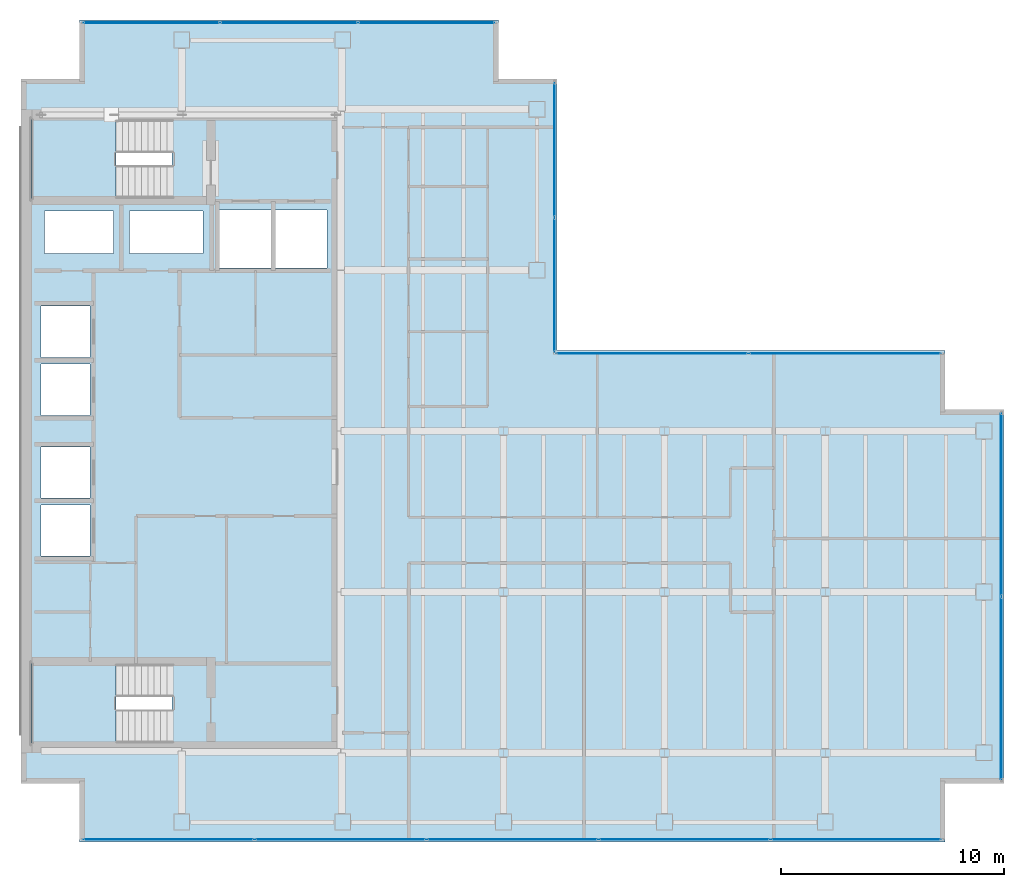
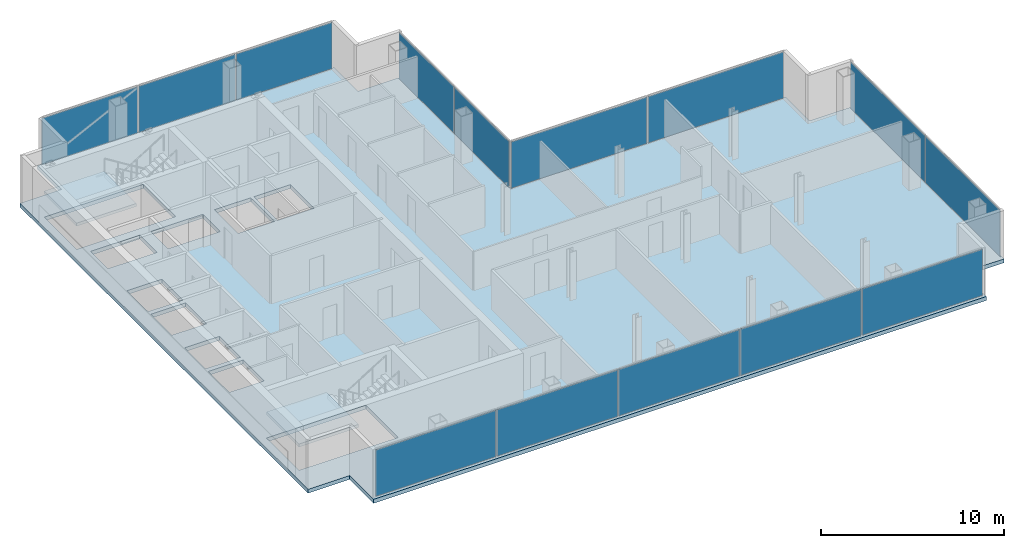
# One storey, part 19 of 23: 14 plates, 3 slabs, 10 openings, 7 elements without a shape of their own.
"""IFC4 building model written with IfcOpenShell, lengths in metres."""

from ifc_helpers import new_model, si_unit, direction, frame, origin, origin_2d, place, context, subcontext, project, spatial, polyline, rectangle, outline, extrude, material, layer, layer_set, type_object, element, aggregate, save


model = new_model("IFC4")

# Units and contexts
model_context = context("Model", 3, precision=1e-05, world=origin(), true_north=direction((0.0, 1.0)))
body_context = subcontext(model_context, "Body", "Model", "MODEL_VIEW")
ifc_project = project(units=[si_unit("LENGTHUNIT", "METRE"), si_unit("AREAUNIT", "SQUARE_METRE"), si_unit("VOLUMEUNIT", "CUBIC_METRE"), si_unit("PLANEANGLEUNIT", "RADIAN"), si_unit("MASSUNIT", "GRAM", prefix="KILO")], contexts=[model_context])

# Site, building, storey
site_placement = place(None, origin())
site = spatial("IfcSite", under=ifc_project, at=site_placement, CompositionType="ELEMENT")
building_placement = place(site_placement, origin())
building = spatial("IfcBuilding", under=site, at=building_placement, Name="Cobrela Telecom Tower", CompositionType="ELEMENT")
storey_placement = place(building_placement, frame((0.0, 0.0, 215.25)))
storey = spatial("IfcBuildingStorey", under=building, at=storey_placement, Name="L55", CompositionType="ELEMENT", Elevation=215.25)

# Curtain wall, plates
ifc_material_1 = material(Name="Anodized Bronze Aluminium 6063-T6", Category="aluminium")
curtain_wall_type = type_object("IfcCurtainWallType", Name="CW-SYS-OFF-LO", PredefinedType="USERDEFINED", material=ifc_material_1)
curtain_wall_1_placement = place(storey_placement, origin())
curtain_wall_1 = element("IfcCurtainWall", 1, at=curtain_wall_1_placement, inside=storey, type_object=curtain_wall_type, Name="L55 Unitised Bronze Curtain Wall 07", ObjectType="UNITISED CURTAIN WALL", PredefinedType="USERDEFINED")
ifc_material_2 = material(Name="Solar-Control Bronze Low-E Glass", Category="glass")
ifc_layer_1 = layer(ifc_material_2, 0.031982421875)
ifc_layer_set_1 = layer_set([ifc_layer_1], Name="Solar-Control Bronze Low-E Glass")
plate_type = type_object("IfcPlateType", Name="CW-SYS-OFF-LO-PNL", PredefinedType="CURTAIN_PANEL", material=ifc_layer_set_1)
plate_1_placement = place(storey_placement, frame((5.850830078125, 39.8798828125, 0.070068359375), z_axis=(0.0, 0.0, 1.0), x_axis=(1.0, 0.0, 0.0)))
plate_1 = element("IfcPlate", 2, at=plate_1_placement, type_object=plate_type, Name="CW-OFF-LO panel 1.1", PredefinedType="CURTAIN_PANEL", context=body_context, shape_type="SweptSolid", body=[
    extrude(rectangle(XDim=6.061767578125, YDim=0.031982421875, at=origin_2d()), origin(), (0.0, 0.0, 1.0), 3.10009765625),
])
plate_2_placement = place(storey_placement, frame((12.0, 39.8798828125, 0.070068359375), z_axis=(0.0, 0.0, 1.0), x_axis=(1.0, 0.0, 0.0)))
plate_2 = element("IfcPlate", 3, at=plate_2_placement, type_object=plate_type, Name="CW-OFF-LO panel 2.1", PredefinedType="CURTAIN_PANEL", context=body_context, shape_type="SweptSolid", body=[
    extrude(rectangle(XDim=6.0966796875, YDim=0.031982421875, at=origin_2d()), origin(), (0.0, 0.0, 1.0), 3.10009765625),
])
plate_3_placement = place(storey_placement, frame((18.149169921875, 39.8798828125, 0.070068359375), z_axis=(0.0, 0.0, 1.0), x_axis=(1.0, 0.0, 0.0)))
plate_3 = element("IfcPlate", 4, at=plate_3_placement, type_object=plate_type, Name="CW-OFF-LO panel 3.1", PredefinedType="CURTAIN_PANEL", context=body_context, shape_type="SweptSolid", body=[
    extrude(rectangle(XDim=6.061767578125, YDim=0.031982421875, at=origin_2d()), origin(), (0.0, 0.0, 1.0), 3.10009765625),
])
aggregate(curtain_wall_1, [plate_1, plate_2, plate_3])

curtain_wall_2_placement = place(storey_placement, origin())
curtain_wall_2 = element("IfcCurtainWall", 5, at=curtain_wall_2_placement, inside=storey, type_object=curtain_wall_type, Name="L55 Unitised Bronze Curtain Wall 10", ObjectType="UNITISED CURTAIN WALL", PredefinedType="USERDEFINED")
plate_4_placement = place(storey_placement, frame((23.8798828125, 34.18994140625, 0.070068359375), z_axis=(0.0, 0.0, 1.0), x_axis=(0.0, -1.0, 0.0)))
plate_4 = element("IfcPlate", 6, at=plate_4_placement, type_object=plate_type, Name="CW-OFF-LO panel 1.1", PredefinedType="CURTAIN_PANEL", context=body_context, shape_type="SweptSolid", body=[
    extrude(rectangle(XDim=5.97998046875, YDim=0.031982421875, at=origin_2d()), origin(), (0.0, 0.0, 1.0), 3.10009765625),
])
plate_5_placement = place(storey_placement, frame((23.8798828125, 28.139892578125, 0.070068359375), z_axis=(0.0, 0.0, 1.0), x_axis=(0.0, -1.0, 0.0)))
plate_5 = element("IfcPlate", 7, at=plate_5_placement, type_object=plate_type, Name="CW-OFF-LO panel 2.1", PredefinedType="CURTAIN_PANEL", context=body_context, shape_type="SweptSolid", body=[
    extrude(rectangle(XDim=5.97998046875, YDim=0.031982421875, at=origin_2d()), origin(), (0.0, 0.0, 1.0), 3.10009765625),
])
aggregate(curtain_wall_2, [plate_4, plate_5])

curtain_wall_3_placement = place(storey_placement, origin())
curtain_wall_3 = element("IfcCurtainWall", 8, at=curtain_wall_3_placement, inside=storey, type_object=curtain_wall_type, Name="L55 Unitised Bronze Curtain Wall 11", ObjectType="UNITISED CURTAIN WALL", PredefinedType="USERDEFINED")
plate_6_placement = place(storey_placement, frame((28.239990234375, 25.080078125, 0.070068359375), z_axis=(0.0, 0.0, 1.0), x_axis=(1.0, 0.0, 0.0)))
plate_6 = element("IfcPlate", 9, at=plate_6_placement, type_object=plate_type, Name="CW-OFF-LO panel 1.1", PredefinedType="CURTAIN_PANEL", context=body_context, shape_type="SweptSolid", body=[
    extrude(rectangle(XDim=8.580078125, YDim=0.031982421875, at=origin_2d()), origin(), (0.0, 0.0, 1.0), 3.10009765625),
])
plate_7_placement = place(storey_placement, frame((36.889892578125, 25.080078125, 0.070068359375), z_axis=(0.0, 0.0, 1.0), x_axis=(1.0, 0.0, 0.0)))
plate_7 = element("IfcPlate", 10, at=plate_7_placement, type_object=plate_type, Name="CW-OFF-LO panel 2.1", PredefinedType="CURTAIN_PANEL", context=body_context, shape_type="SweptSolid", body=[
    extrude(rectangle(XDim=8.580078125, YDim=0.031982421875, at=origin_2d()), origin(), (0.0, 0.0, 1.0), 3.10009765625),
])
aggregate(curtain_wall_3, [plate_6, plate_7])

curtain_wall_4_placement = place(storey_placement, origin())
curtain_wall_4 = element("IfcCurtainWall", 11, at=curtain_wall_4_placement, inside=storey, type_object=curtain_wall_type, Name="L55 Unitised Bronze Curtain Wall 14", ObjectType="UNITISED CURTAIN WALL", PredefinedType="USERDEFINED")
plate_8_placement = place(storey_placement, frame((43.8798828125, 18.3076171875, 0.070068359375), z_axis=(0.0, 0.0, 1.0), x_axis=(0.0, -1.0, 0.0)))
plate_8 = element("IfcPlate", 12, at=plate_8_placement, type_object=plate_type, Name="CW-OFF-LO panel 1.1", PredefinedType="CURTAIN_PANEL", context=body_context, shape_type="SweptSolid", body=[
    extrude(rectangle(XDim=8.14501953125, YDim=0.031982421875, at=origin_2d()), origin(), (0.0, 0.0, 1.0), 3.10009765625),
])
plate_9_placement = place(storey_placement, frame((43.8798828125, 10.092529296875, 0.070068359375), z_axis=(0.0, 0.0, 1.0), x_axis=(0.0, -1.0, 0.0)))
plate_9 = element("IfcPlate", 13, at=plate_9_placement, type_object=plate_type, Name="CW-OFF-LO panel 2.1", PredefinedType="CURTAIN_PANEL", context=body_context, shape_type="SweptSolid", body=[
    extrude(rectangle(XDim=8.14501953125, YDim=0.031982421875, at=origin_2d()), origin(), (0.0, 0.0, 1.0), 3.10009765625),
])
aggregate(curtain_wall_4, [plate_8, plate_9])

curtain_wall_5_placement = place(storey_placement, origin())
curtain_wall_5 = element("IfcCurtainWall", 14, at=curtain_wall_5_placement, inside=storey, type_object=curtain_wall_type, Name="L55 Unitised Bronze Curtain Wall 17", ObjectType="UNITISED CURTAIN WALL", PredefinedType="USERDEFINED")
plate_10_placement = place(storey_placement, frame((37.382568359375, 3.320068359375, 0.070068359375), z_axis=(0.0, 0.0, 1.0), x_axis=(-1.0, 0.0, 0.0)))
plate_10 = element("IfcPlate", 15, at=plate_10_placement, type_object=plate_type, Name="CW-OFF-LO panel 1.1", PredefinedType="CURTAIN_PANEL", context=body_context, shape_type="SweptSolid", body=[
    extrude(rectangle(XDim=7.594970703125, YDim=0.031982421875, at=origin_2d()), origin(), (0.0, 0.0, 1.0), 3.10009765625),
])
plate_11_placement = place(storey_placement, frame((29.699951171875, 3.320068359375, 0.070068359375), z_axis=(0.0, 0.0, 1.0), x_axis=(-1.0, 0.0, 0.0)))
plate_11 = element("IfcPlate", 16, at=plate_11_placement, type_object=plate_type, Name="CW-OFF-LO panel 2.1", PredefinedType="CURTAIN_PANEL", context=body_context, shape_type="SweptSolid", body=[
    extrude(rectangle(XDim=7.6298828125, YDim=0.031982421875, at=origin_2d()), origin(), (0.0, 0.0, 1.0), 3.10009765625),
])
plate_12_placement = place(storey_placement, frame((22.0, 3.320068359375, 0.070068359375), z_axis=(0.0, 0.0, 1.0), x_axis=(-1.0, 0.0, 0.0)))
plate_12 = element("IfcPlate", 17, at=plate_12_placement, type_object=plate_type, Name="CW-OFF-LO panel 3.1", PredefinedType="CURTAIN_PANEL", context=body_context, shape_type="SweptSolid", body=[
    extrude(rectangle(XDim=7.6298828125, YDim=0.031982421875, at=origin_2d()), origin(), (0.0, 0.0, 1.0), 3.10009765625),
])
plate_13_placement = place(storey_placement, frame((14.300048828125, 3.320068359375, 0.070068359375), z_axis=(0.0, 0.0, 1.0), x_axis=(-1.0, 0.0, 0.0)))
plate_13 = element("IfcPlate", 18, at=plate_13_placement, type_object=plate_type, Name="CW-OFF-LO panel 4.1", PredefinedType="CURTAIN_PANEL", context=body_context, shape_type="SweptSolid", body=[
    extrude(rectangle(XDim=7.6298828125, YDim=0.031982421875, at=origin_2d()), origin(), (0.0, 0.0, 1.0), 3.10009765625),
])
plate_14_placement = place(storey_placement, frame((6.617431640625, 3.320068359375, 0.070068359375), z_axis=(0.0, 0.0, 1.0), x_axis=(-1.0, 0.0, 0.0)))
plate_14 = element("IfcPlate", 19, at=plate_14_placement, type_object=plate_type, Name="CW-OFF-LO panel 5.1", PredefinedType="CURTAIN_PANEL", context=body_context, shape_type="SweptSolid", body=[
    extrude(rectangle(XDim=7.594970703125, YDim=0.031982421875, at=origin_2d()), origin(), (0.0, 0.0, 1.0), 3.10009765625),
])
aggregate(curtain_wall_5, [plate_10, plate_11, plate_12, plate_13, plate_14])

# Slab, openings
ifc_material_3 = material(Name="Concrete C40/50", Category="concrete")
ifc_layer_2 = layer(ifc_material_3, 0.260009765625)
ifc_layer_set_2 = layer_set([ifc_layer_2], Name="Concrete C40/50")
slab_type_1 = type_object("IfcSlabType", Name="SLAB-FLR-260", PredefinedType="FLOOR", material=ifc_layer_set_2)
slab_1_placement = place(storey_placement, frame((0.0, 0.0, -0.260009765625)))
slab_1 = element("IfcSlab", 20, at=slab_1_placement, inside=storey, type_object=slab_type_1, Name="L55 Structural Floor Slab", PredefinedType="FLOOR", context=body_context, shape_type="SweptSolid", body=[
    extrude(outline(polyline([(2.6298828125, 3.199951171875), (41.3701171875, 3.199951171875), (41.3701171875, 5.830078125), (44.0, 5.830078125), (44.0, 22.570068359375), (41.3701171875, 22.570068359375), (41.3701171875, 25.199951171875), (24.0, 25.199951171875), (24.0, 37.3701171875), (21.3701171875, 37.3701171875), (21.3701171875, 40.0), (2.6298828125, 40.0), (2.6298828125, 37.3701171875), (0.0, 37.3701171875), (0.0, 5.830078125), (2.6298828125, 5.830078125), (2.6298828125, 3.199951171875)])), origin(), (0.0, 0.0, 1.0), 0.260009765625),
])
opening_1_placement = place(slab_1_placement, frame((0.0, 0.0, -0.02001953125)))
element("IfcOpeningElement", 21, at=opening_1_placement, cuts=slab_1, Name="Slab Shaft Opening SLAB-L55-MAIN.1", PredefinedType="OPENING", context=body_context, shape_type="SweptSolid", body=[
    extrude(outline(polyline([(8.89990234375, 28.89990234375), (11.199951171875, 28.89990234375), (11.199951171875, 31.5), (8.89990234375, 31.5), (8.89990234375, 28.89990234375)])), origin(), (0.0, 0.0, 1.0), 0.300048828125),
])
opening_2_placement = place(slab_1_placement, frame((0.0, 0.0, -0.02001953125)))
element("IfcOpeningElement", 22, at=opening_2_placement, cuts=slab_1, Name="Slab Shaft Opening SLAB-L55-MAIN.2", PredefinedType="OPENING", context=body_context, shape_type="SweptSolid", body=[
    extrude(outline(polyline([(11.39990234375, 28.89990234375), (13.699951171875, 28.89990234375), (13.699951171875, 31.5), (11.39990234375, 31.5), (11.39990234375, 28.89990234375)])), origin(), (0.0, 0.0, 1.0), 0.300048828125),
])
opening_3_placement = place(slab_1_placement, frame((0.0, 0.0, -0.02001953125)))
element("IfcOpeningElement", 23, at=opening_3_placement, cuts=slab_1, Name="Slab Shaft Opening SLAB-L55-MAIN.3", PredefinedType="OPENING", context=body_context, shape_type="SweptSolid", body=[
    extrude(outline(polyline([(0.89990234375, 16.0), (3.10009765625, 16.0), (3.10009765625, 18.300048828125), (0.89990234375, 18.300048828125), (0.89990234375, 16.0)])), origin(), (0.0, 0.0, 1.0), 0.300048828125),
])
opening_4_placement = place(slab_1_placement, frame((0.0, 0.0, -0.02001953125)))
element("IfcOpeningElement", 24, at=opening_4_placement, cuts=slab_1, Name="Slab Shaft Opening SLAB-L55-MAIN.4", PredefinedType="OPENING", context=body_context, shape_type="SweptSolid", body=[
    extrude(outline(polyline([(0.89990234375, 18.60009765625), (3.10009765625, 18.60009765625), (3.10009765625, 20.89990234375), (0.89990234375, 20.89990234375), (0.89990234375, 18.60009765625)])), origin(), (0.0, 0.0, 1.0), 0.300048828125),
])
opening_5_placement = place(slab_1_placement, frame((0.0, 0.0, -0.02001953125)))
element("IfcOpeningElement", 25, at=opening_5_placement, cuts=slab_1, Name="Slab Shaft Opening SLAB-L55-MAIN.5", PredefinedType="OPENING", context=body_context, shape_type="SweptSolid", body=[
    extrude(outline(polyline([(0.89990234375, 22.300048828125), (3.10009765625, 22.300048828125), (3.10009765625, 24.60009765625), (0.89990234375, 24.60009765625), (0.89990234375, 22.300048828125)])), origin(), (0.0, 0.0, 1.0), 0.300048828125),
])
opening_6_placement = place(slab_1_placement, frame((0.0, 0.0, -0.02001953125)))
element("IfcOpeningElement", 26, at=opening_6_placement, cuts=slab_1, Name="Slab Shaft Opening SLAB-L55-MAIN.6", PredefinedType="OPENING", context=body_context, shape_type="SweptSolid", body=[
    extrude(outline(polyline([(0.89990234375, 24.89990234375), (3.10009765625, 24.89990234375), (3.10009765625, 27.199951171875), (0.89990234375, 27.199951171875), (0.89990234375, 24.89990234375)])), origin(), (0.0, 0.0, 1.0), 0.300048828125),
])
opening_7_placement = place(slab_1_placement, frame((0.0, 0.0, -0.02001953125)))
element("IfcOpeningElement", 27, at=opening_7_placement, cuts=slab_1, Name="Slab Shaft Opening SLAB-L55-MAIN.7", PredefinedType="OPENING", context=body_context, shape_type="SweptSolid", body=[
    extrude(outline(polyline([(1.050048828125, 29.550048828125), (4.14990234375, 29.550048828125), (4.14990234375, 31.449951171875), (1.050048828125, 31.449951171875), (1.050048828125, 29.550048828125)])), origin(), (0.0, 0.0, 1.0), 0.300048828125),
])
opening_8_placement = place(slab_1_placement, frame((0.0, 0.0, -0.02001953125)))
element("IfcOpeningElement", 28, at=opening_8_placement, cuts=slab_1, Name="Slab Shaft Opening SLAB-L55-MAIN.8", PredefinedType="OPENING", context=body_context, shape_type="SweptSolid", body=[
    extrude(outline(polyline([(4.85009765625, 29.550048828125), (8.14990234375, 29.550048828125), (8.14990234375, 31.449951171875), (4.85009765625, 31.449951171875), (4.85009765625, 29.550048828125)])), origin(), (0.0, 0.0, 1.0), 0.300048828125),
])
opening_9_placement = place(slab_1_placement, frame((0.0, 0.0, -0.02001953125)))
element("IfcOpeningElement", 29, at=opening_9_placement, cuts=slab_1, Name="Slab Shaft Opening SLAB-L55-MAIN.9", PredefinedType="OPENING", context=body_context, shape_type="SweptSolid", body=[
    extrude(outline(polyline([(6.7548828125, 35.550048828125), (0.47998046875, 35.550048828125), (0.47998046875, 32.0), (6.7548828125, 32.0), (6.7548828125, 35.550048828125)])), origin(), (0.0, 0.0, 1.0), 0.300048828125),
])
opening_10_placement = place(slab_1_placement, frame((0.0, 0.0, -0.02001953125)))
element("IfcOpeningElement", 30, at=opening_10_placement, cuts=slab_1, Name="Slab Shaft Opening SLAB-L55-MAIN.10", PredefinedType="OPENING", context=body_context, shape_type="SweptSolid", body=[
    extrude(outline(polyline([(6.7548828125, 11.199951171875), (0.47998046875, 11.199951171875), (0.47998046875, 7.64990234375), (6.7548828125, 7.64990234375), (6.7548828125, 11.199951171875)])), origin(), (0.0, 0.0, 1.0), 0.300048828125),
])

# Stair, slab
stair_type = type_object("IfcStairType", Name="STAIR-CORE", PredefinedType="HALF_TURN_STAIR", material=ifc_material_3)
stair_1_placement = place(storey_placement, origin())
stair_1 = element("IfcStair", 31, at=stair_1_placement, inside=storey, type_object=stair_type, Name="L55 Smokeproof Exit Stair ST1", PredefinedType="HALF_TURN_STAIR")
ifc_layer_3 = layer(ifc_material_3, 0.199951171875)
ifc_layer_set_3 = layer_set([ifc_layer_3], Name="Concrete C40/50")
slab_type_2 = type_object("IfcSlabType", Name="SLAB-LAND-200", PredefinedType="LANDING", material=ifc_layer_set_3)
slab_2_placement = place(storey_placement, frame((0.0, 0.0, 1.550048828125)))
slab_2 = element("IfcSlab", 32, at=slab_2_placement, type_object=slab_type_2, Name="ST1 landing 1", PredefinedType="LANDING", context=body_context, shape_type="SweptSolid", body=[
    extrude(outline(polyline([(4.2548828125, 35.550048828125), (0.47998046875, 35.550048828125), (0.47998046875, 32.0), (4.2548828125, 32.0), (4.2548828125, 35.550048828125)])), origin(), (0.0, 0.0, 1.0), 0.199951171875),
])
aggregate(stair_1, [slab_2])

stair_2_placement = place(storey_placement, origin())
stair_2 = element("IfcStair", 33, at=stair_2_placement, inside=storey, type_object=stair_type, Name="L55 Smokeproof Exit Stair ST2", PredefinedType="HALF_TURN_STAIR")
slab_3_placement = place(storey_placement, frame((0.0, 0.0, 1.550048828125)))
slab_3 = element("IfcSlab", 34, at=slab_3_placement, type_object=slab_type_2, Name="ST2 landing 1", PredefinedType="LANDING", context=body_context, shape_type="SweptSolid", body=[
    extrude(outline(polyline([(4.2548828125, 11.199951171875), (0.47998046875, 11.199951171875), (0.47998046875, 7.64990234375), (4.2548828125, 7.64990234375), (4.2548828125, 11.199951171875)])), origin(), (0.0, 0.0, 1.0), 0.199951171875),
])
aggregate(stair_2, [slab_3])

save(model, "model.ifc")
